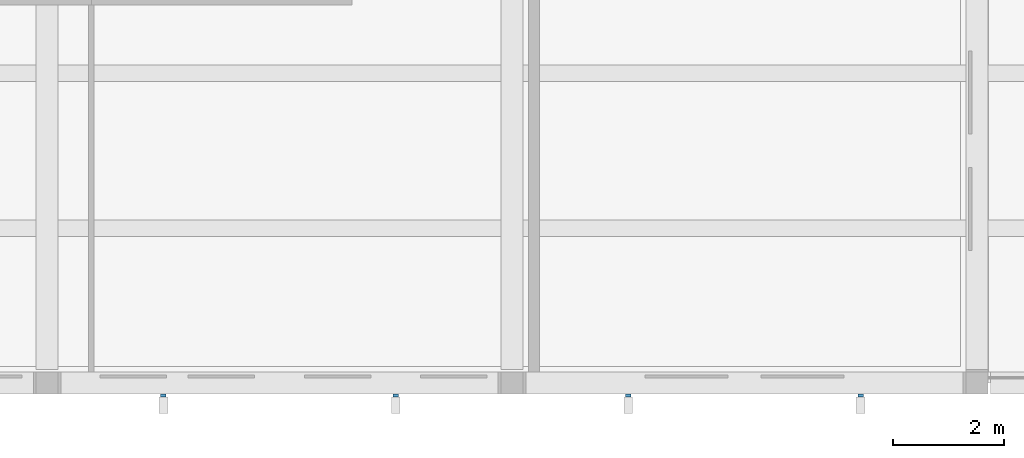
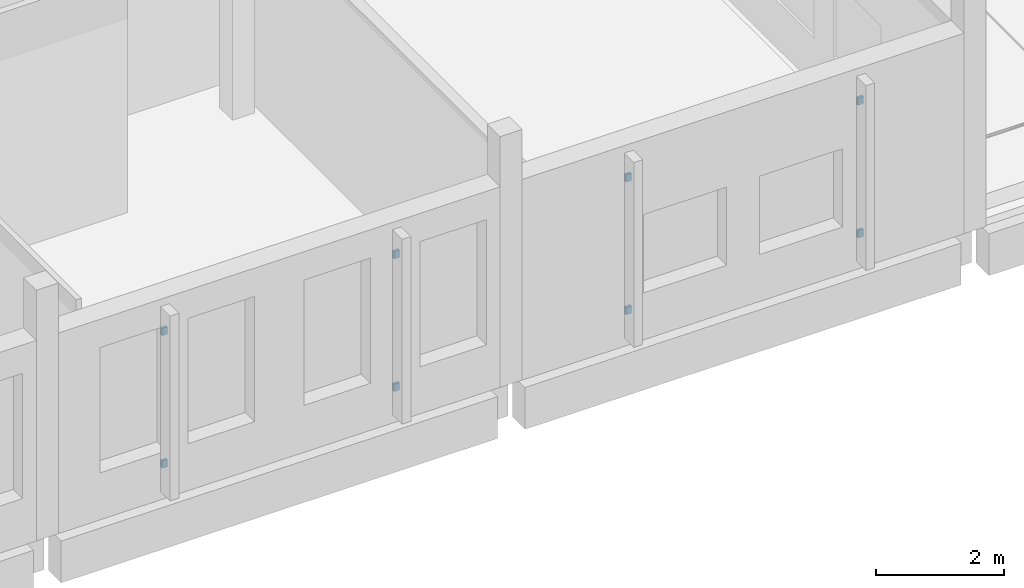
# One storey, part 71 of 103: 8 discrete accessories.
"""IFC4 building model written with IfcOpenShell, lengths in metres."""

from ifc_helpers import new_model, si_unit, direction, frame, origin, origin_2d, place, context, subcontext, project, spatial, rectangle, extrude, material, layer, layer_set, type_object, element, save


model = new_model("IFC4")

# Units and contexts
model_context = context("Model", 3, precision=1e-05, world=origin(), true_north=direction((0.0, 1.0)))
body_context = subcontext(model_context, "Body", "Model", "MODEL_VIEW")
ifc_project = project(units=[si_unit("LENGTHUNIT", "METRE"), si_unit("AREAUNIT", "SQUARE_METRE"), si_unit("VOLUMEUNIT", "CUBIC_METRE"), si_unit("PLANEANGLEUNIT", "RADIAN"), si_unit("MASSUNIT", "GRAM", prefix="KILO")], contexts=[model_context])

# Site, building, storey
site_placement = place(None, origin())
site = spatial("IfcSite", under=ifc_project, at=site_placement, CompositionType="ELEMENT")
building_placement = place(site_placement, origin())
building = spatial("IfcBuilding", under=site, at=building_placement, Name="Larchfold Concert Hall", CompositionType="ELEMENT")
storey_placement = place(building_placement, frame((0.0, 0.0, 9.60009765625)))
storey = spatial("IfcBuildingStorey", under=building, at=storey_placement, Name="L02", CompositionType="ELEMENT", Elevation=9.60009765625)

# Discrete accessories
ifc_material = material(Name="Steel S355 galvanised bracket", Category="steel")
ifc_layer = layer(ifc_material, 0.10009765625)
ifc_layer_set = layer_set([ifc_layer], Name="Steel S355 galvanised bracket")
discrete_accessory_type = type_object("IfcDiscreteAccessoryType", Name="Fin support bracket short", PredefinedType="BRACKET", material=ifc_layer_set)
for number, where, z_axis, x_axis, name in (
    (1, (36.300048828125, 0.375, 0.6298828125), (0.0, 0.0, 1.0), (0.0, -1.0, 0.0), "Fin bracket FN-L02-027-1"),
    (2, (36.300048828125, 0.375, 3.169921875), (0.0, 0.0, 1.0), (0.0, -1.0, 0.0), "Fin bracket FN-L02-027-2"),
    (3, (40.5, 0.375, 0.6298828125), (0.0, 0.0, 1.0), (0.0, -1.0, 0.0), "Fin bracket FN-L02-028-1"),
    (4, (40.5, 0.375, 3.169921875), (0.0, 0.0, 1.0), (0.0, -1.0, 0.0), "Fin bracket FN-L02-028-2"),
    (5, (44.699951171875, 0.375, 0.6298828125), (0.0, 0.0, 1.0), (0.0, -1.0, 0.0), "Fin bracket FN-L02-029-1"),
    (6, (44.699951171875, 0.375, 3.169921875), (0.0, 0.0, 1.0), (0.0, -1.0, 0.0), "Fin bracket FN-L02-029-2"),
    (7, (48.89990234375, 0.375, 0.6298828125), (0.0, 0.0, 1.0), (0.0, -1.0, 0.0), "Fin bracket FN-L02-030-1"),
    (8, (48.89990234375, 0.375, 3.169921875), (0.0, 0.0, 1.0), (0.0, -1.0, 0.0), "Fin bracket FN-L02-030-2"),
):
    element("IfcDiscreteAccessory", number, at=place(storey_placement, frame(where, z_axis=z_axis, x_axis=x_axis)), inside=storey, type_object=discrete_accessory_type, Name=name, PredefinedType="BRACKET", context=body_context, shape_type="SweptSolid", body=[
        extrude(rectangle(XDim=0.050048828125, YDim=0.10009765625, at=origin_2d()), origin(), (0.0, 0.0, 1.0), 0.139892578125),
    ])

save(model, "model.ifc")
